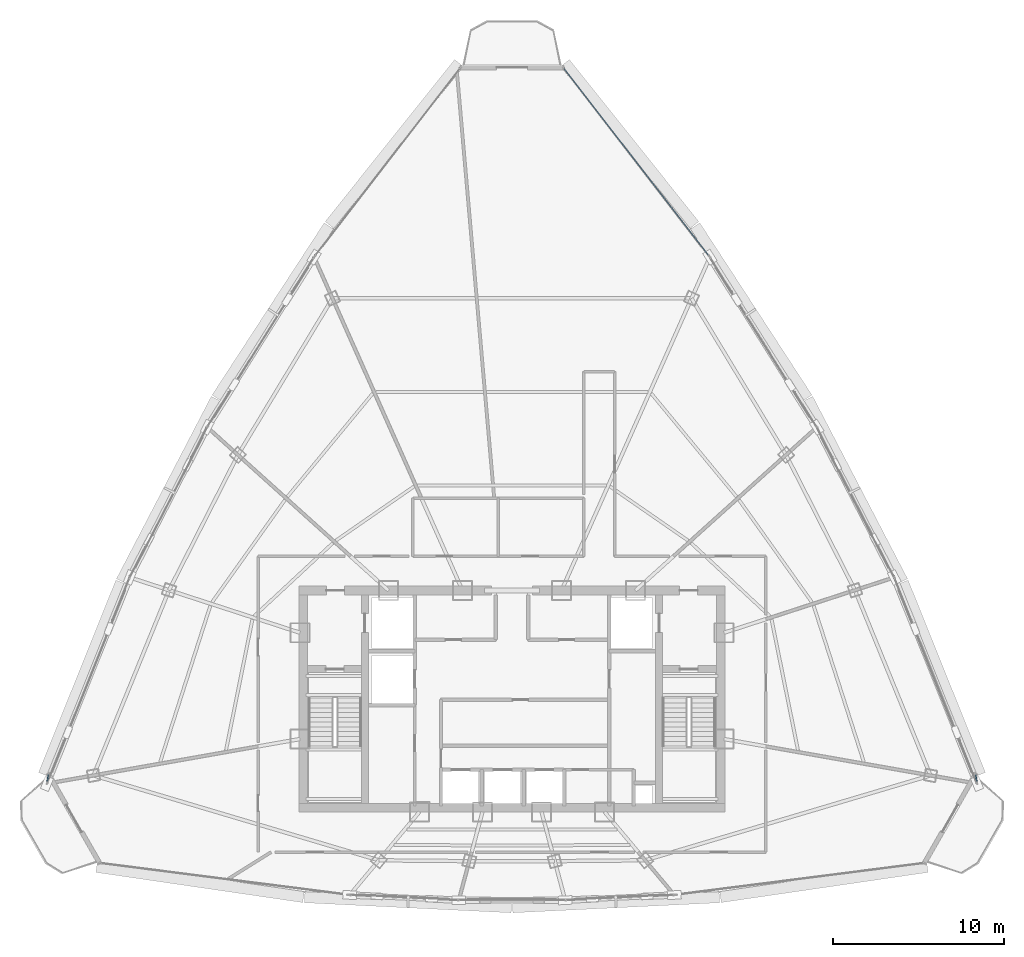
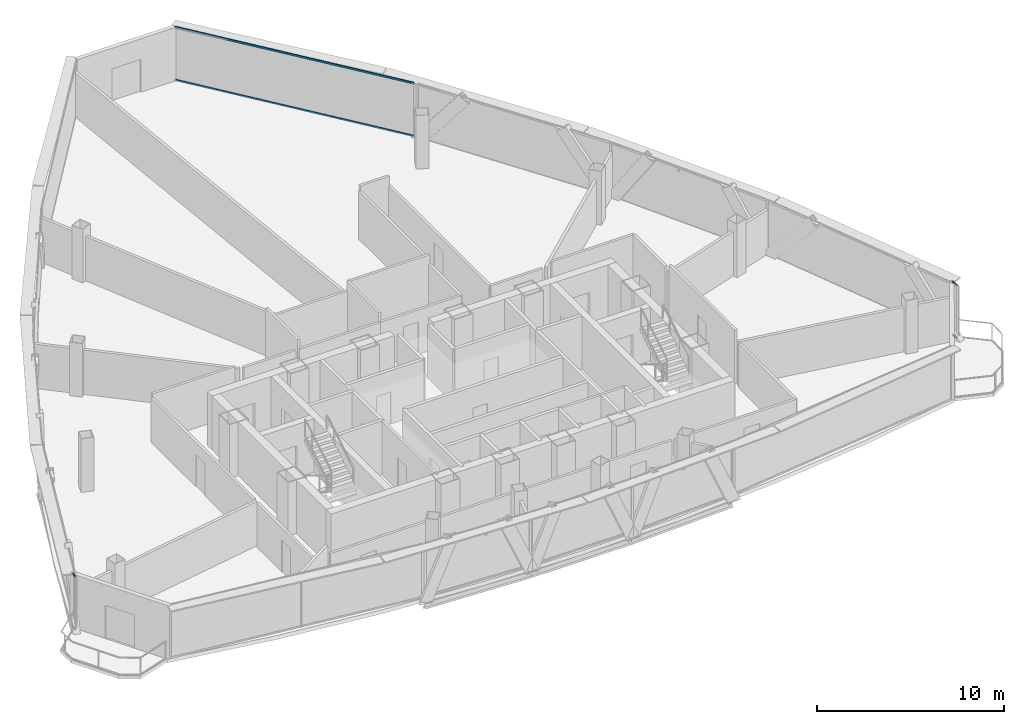
# One storey, part 21 of 30: 6 members, 3 elements without a shape of their own.
"""IFC4 building model written with IfcOpenShell, lengths in metres."""

from ifc_helpers import new_model, si_unit, direction, frame, origin, origin_2d, place, context, subcontext, project, spatial, hollow_rectangle, extrude, source, transform, mapped, material, layer, layer_set, material_profile, profile_set, type_object, element, aggregate, save


model = new_model("IFC4")

# Units and contexts
model_context = context("Model", 3, precision=1e-05, world=origin(), true_north=direction((0.0, 1.0)))
body_context = subcontext(model_context, "Body", "Model", "MODEL_VIEW")
ifc_project = project(units=[si_unit("LENGTHUNIT", "METRE"), si_unit("AREAUNIT", "SQUARE_METRE"), si_unit("VOLUMEUNIT", "CUBIC_METRE"), si_unit("PLANEANGLEUNIT", "RADIAN"), si_unit("MASSUNIT", "GRAM", prefix="KILO"), si_unit("THERMODYNAMICTEMPERATUREUNIT", "KELVIN"), si_unit("POWERUNIT", "WATT")], contexts=[model_context])

# Site, building, storey
site_placement = place(None, origin())
site = spatial("IfcSite", under=ifc_project, at=site_placement, CompositionType="ELEMENT")
building_placement = place(site_placement, origin())
building = spatial("IfcBuilding", under=site, at=building_placement, Name="Yunzhuo Pagoda Commons", CompositionType="ELEMENT")
storey_placement = place(building_placement, frame((0.0, 0.0, 351.760009765625)))
storey = spatial("IfcBuildingStorey", under=building, at=storey_placement, Name="L88", CompositionType="ELEMENT", Elevation=351.760009765625)

# Curtain wall, members
ifc_material = material(Name="Anodized aluminium 6063-T6", Category="aluminium")
ifc_layer = layer(ifc_material, 0.139892578125)
ifc_layer_set = layer_set([ifc_layer], Name="Anodized aluminium 6063-T6")
curtain_wall_type = type_object("IfcCurtainWallType", Name="CW-HI High-Zone Ribbon Curtain Wall", PredefinedType="NOTDEFINED", material=ifc_layer_set)
curtain_wall_1_placement = place(storey_placement, origin())
curtain_wall_1 = element("IfcCurtainWall", 1, at=curtain_wall_1_placement, inside=storey, type_object=curtain_wall_type, Name="L88 curtain wall CW-L88-F2B1", PredefinedType="NOTDEFINED")
ifc_material_profile = material_profile(ifc_material, hollow_rectangle(XDim=0.054931640625, YDim=0.1201171875, WallThickness=0.00341796875, at=origin_2d()), Name="Anodized aluminium 6063-T6")
ifc_profile_set = profile_set([ifc_material_profile], Name="Anodized aluminium 6063-T6")
member_type = type_object("IfcMemberType", Name="CW-HI-T Transom RHS 120x55x3.5", PredefinedType="USERDEFINED", material=ifc_profile_set)
shared_shape_1 = source(origin(), body_context, "Body", "SweptSolid", [
    extrude(hollow_rectangle(XDim=0.054931640625, YDim=0.1201171875, WallThickness=0.00341796875, at=origin_2d()), origin(), (0.0, 0.0, 1.0), 0.380126953125),
])
member_1_placement = place(storey_placement, frame((75.115966796875, 29.414306640625, 0.027587890625), z_axis=(0.150319155513, -0.988637522799, 0.0), x_axis=(0.988637522799, 0.150319155513, 0.0)))
member_1 = element("IfcMember", 2, at=member_1_placement, type_object=member_type, Name="CW transom 1.1", ObjectType="TRANSOM", PredefinedType="USERDEFINED", context=body_context, shape_type="MappedRepresentation", body=[
    mapped(shared_shape_1, transform((0.0, 0.0, 0.0), scale=1.0)),
])
member_2_placement = place(storey_placement, frame((75.115966796875, 29.414306640625, 3.46240234375), z_axis=(0.150319155513, -0.988637522799, 0.0), x_axis=(0.988637522799, 0.150319155513, 0.0)))
member_2 = element("IfcMember", 3, at=member_2_placement, type_object=member_type, Name="CW transom 1.2", ObjectType="TRANSOM", PredefinedType="USERDEFINED", context=body_context, shape_type="MappedRepresentation", body=[
    mapped(shared_shape_1, transform((0.0, 0.0, 0.0), scale=1.0)),
])
aggregate(curtain_wall_1, [member_1, member_2])

curtain_wall_2_placement = place(storey_placement, origin())
curtain_wall_2 = element("IfcCurtainWall", 4, at=curtain_wall_2_placement, inside=storey, type_object=curtain_wall_type, Name="L88 curtain wall CW-L88-F3B5", PredefinedType="NOTDEFINED")
member_3_placement = place(storey_placement, frame((20.826904296875, 29.03857421875, 0.027587890625), z_axis=(0.150319155513, 0.988637522799, 0.0), x_axis=(-0.988637522799, 0.150319155513, 0.0)))
member_3 = element("IfcMember", 5, at=member_3_placement, type_object=member_type, Name="CW transom 1.1", ObjectType="TRANSOM", PredefinedType="USERDEFINED", context=body_context, shape_type="MappedRepresentation", body=[
    mapped(shared_shape_1, transform((0.0, 0.0, 0.0), scale=1.0)),
])
member_4_placement = place(storey_placement, frame((20.826904296875, 29.03857421875, 3.46240234375), z_axis=(0.150319155513, 0.988637522799, 0.0), x_axis=(-0.988637522799, 0.150319155513, 0.0)))
member_4 = element("IfcMember", 6, at=member_4_placement, type_object=member_type, Name="CW transom 1.2", ObjectType="TRANSOM", PredefinedType="USERDEFINED", context=body_context, shape_type="MappedRepresentation", body=[
    mapped(shared_shape_1, transform((0.0, 0.0, 0.0), scale=1.0)),
])
aggregate(curtain_wall_2, [member_3, member_4])

curtain_wall_3_placement = place(storey_placement, origin())
curtain_wall_3 = element("IfcCurtainWall", 7, at=curtain_wall_3_placement, inside=storey, type_object=curtain_wall_type, Name="L88 curtain wall CW-L88-F2B5", PredefinedType="NOTDEFINED")
shared_shape_2 = source(origin(), body_context, "Body", "SweptSolid", [
    extrude(hollow_rectangle(XDim=0.054931640625, YDim=0.1201171875, WallThickness=0.00341796875, at=origin_2d()), origin(), (0.0, 0.0, 1.0), 13.8232421875),
])
member_5_placement = place(storey_placement, frame((59.489501953125, 59.79833984375, 0.027587890625), z_axis=(-0.61190884163, 0.790928296077, 0.0), x_axis=(-0.790928296077, -0.61190884163, 0.0)))
member_5 = element("IfcMember", 8, at=member_5_placement, type_object=member_type, Name="CW transom 1.1", ObjectType="TRANSOM", PredefinedType="USERDEFINED", context=body_context, shape_type="MappedRepresentation", body=[
    mapped(shared_shape_2, transform((0.0, 0.0, 0.0), scale=1.0)),
])
member_6_placement = place(storey_placement, frame((59.489501953125, 59.79833984375, 3.46240234375), z_axis=(-0.61190884163, 0.790928296077, 0.0), x_axis=(-0.790928296077, -0.61190884163, 0.0)))
member_6 = element("IfcMember", 9, at=member_6_placement, type_object=member_type, Name="CW transom 1.2", ObjectType="TRANSOM", PredefinedType="USERDEFINED", context=body_context, shape_type="MappedRepresentation", body=[
    mapped(shared_shape_2, transform((0.0, 0.0, 0.0), scale=1.0)),
])
aggregate(curtain_wall_3, [member_5, member_6])

save(model, "model.ifc")
